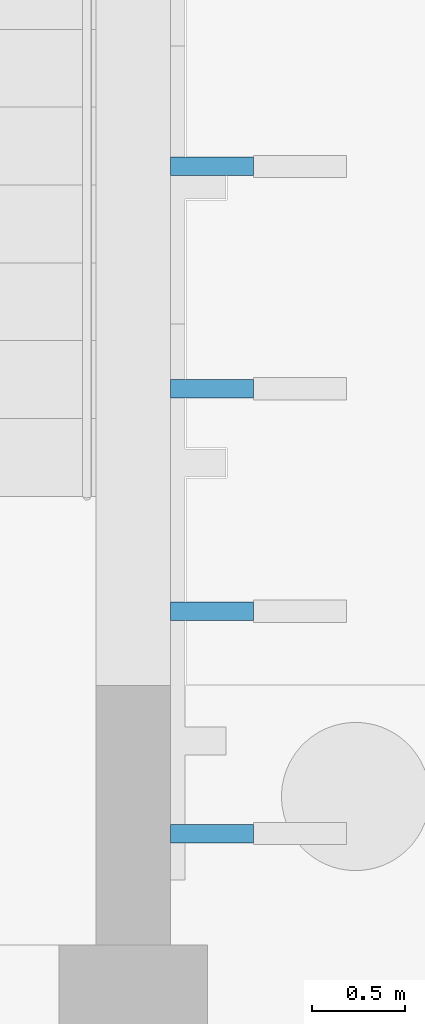
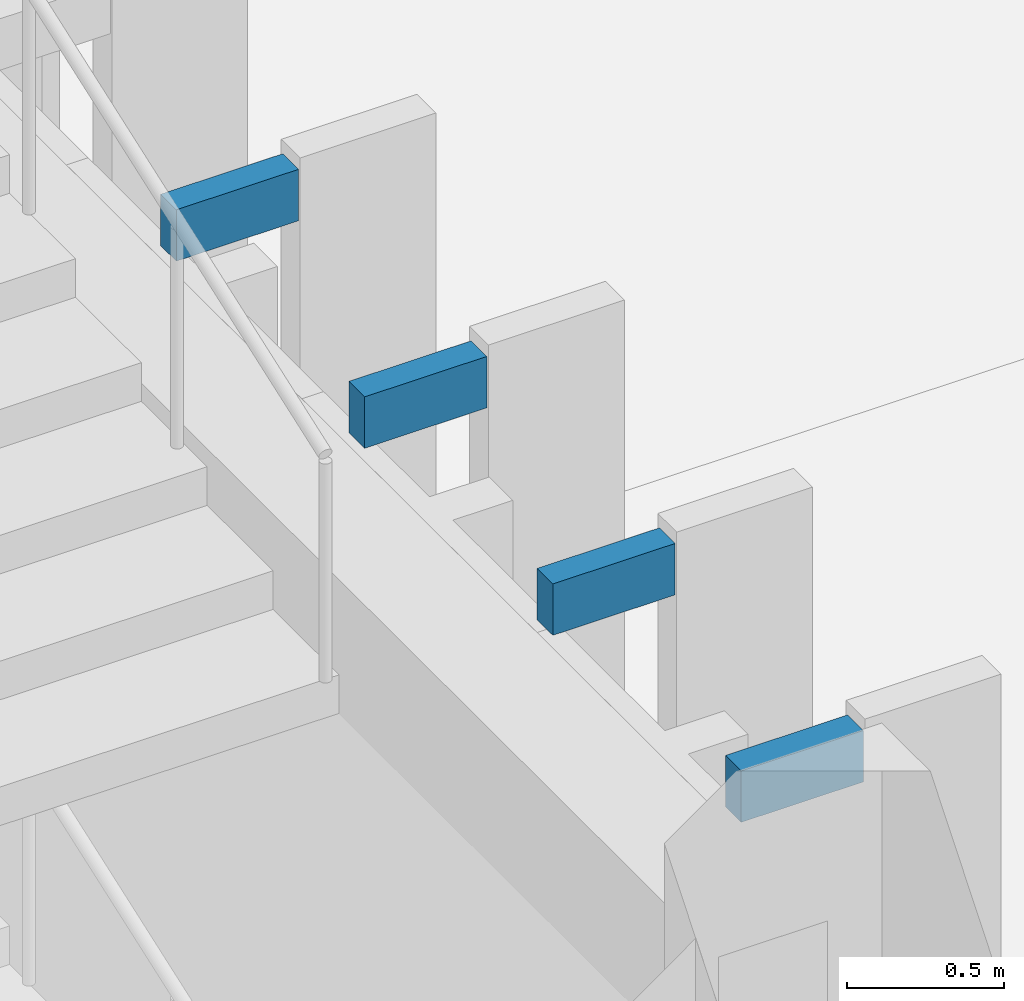
# One storey, part 126 of 198: 4 discrete accessories.
"""IFC4 building model written with IfcOpenShell, lengths in metres."""

from ifc_helpers import new_model, si_unit, direction, frame, origin, origin_2d, place, context, subcontext, project, spatial, rectangle, extrude, material, type_object, element, save


model = new_model("IFC4")

# Units and contexts
model_context = context("Model", 3, precision=1e-05, world=origin(), true_north=direction((0.0, 1.0)))
body_context = subcontext(model_context, "Body", "Model", "MODEL_VIEW")
ifc_project = project(units=[si_unit("LENGTHUNIT", "METRE"), si_unit("AREAUNIT", "SQUARE_METRE"), si_unit("VOLUMEUNIT", "CUBIC_METRE"), si_unit("PLANEANGLEUNIT", "RADIAN"), si_unit("MASSUNIT", "GRAM", prefix="KILO")], contexts=[model_context])

# Site, building, storey
site_placement = place(None, origin())
site = spatial("IfcSite", under=ifc_project, at=site_placement, CompositionType="ELEMENT")
building_placement = place(site_placement, origin())
building = spatial("IfcBuilding", under=site, at=building_placement, Name="Opaline Strait Convention Centre", CompositionType="ELEMENT")
storey_placement = place(building_placement, origin())
storey = spatial("IfcBuildingStorey", under=building, at=storey_placement, Name="L00", CompositionType="ELEMENT", Elevation=0.0)

# Discrete accessories
ifc_material = material(Name="Stainless steel 304", Category="steel")
discrete_accessory_type = type_object("IfcDiscreteAccessoryType", Name="Storm fin bracket 100", PredefinedType="BRACKET", material=ifc_material)
for number, where, z_axis, x_axis, name in (
    (1, (351.425048828125, 64.0, 5.06982421875), (0.0, 0.0, 1.0), (1.0, 0.0, 0.0), "Storm fin bracket east 75"),
    (2, (351.425048828125, 65.199951171875, 5.06982421875), (0.0, 0.0, 1.0), (1.0, 0.0, 0.0), "Storm fin bracket east 76"),
    (3, (351.425048828125, 66.39990234375, 5.06982421875), (0.0, 0.0, 1.0), (1.0, 0.0, 0.0), "Storm fin bracket east 77"),
    (4, (351.425048828125, 67.60009765625, 5.06982421875), (0.0, 0.0, 1.0), (1.0, 0.0, 0.0), "Storm fin bracket east 78"),
):
    element("IfcDiscreteAccessory", number, at=place(storey_placement, frame(where, z_axis=z_axis, x_axis=x_axis)), inside=storey, type_object=discrete_accessory_type, Name=name, PredefinedType="BRACKET", context=body_context, shape_type="SweptSolid", body=[
        extrude(rectangle(XDim=0.449951171875, YDim=0.10009765625, at=origin_2d()), origin(), (0.0, 0.0, 1.0), 0.199951171875),
    ])

save(model, "model.ifc")
